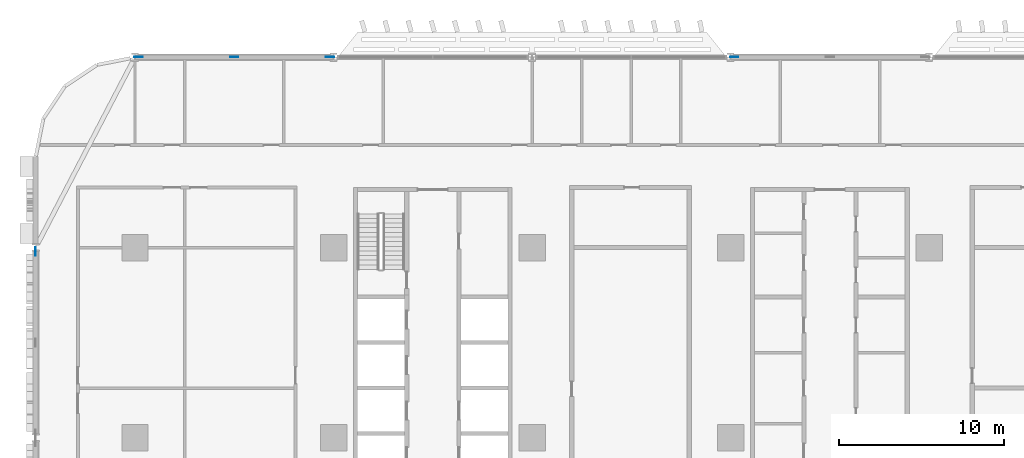
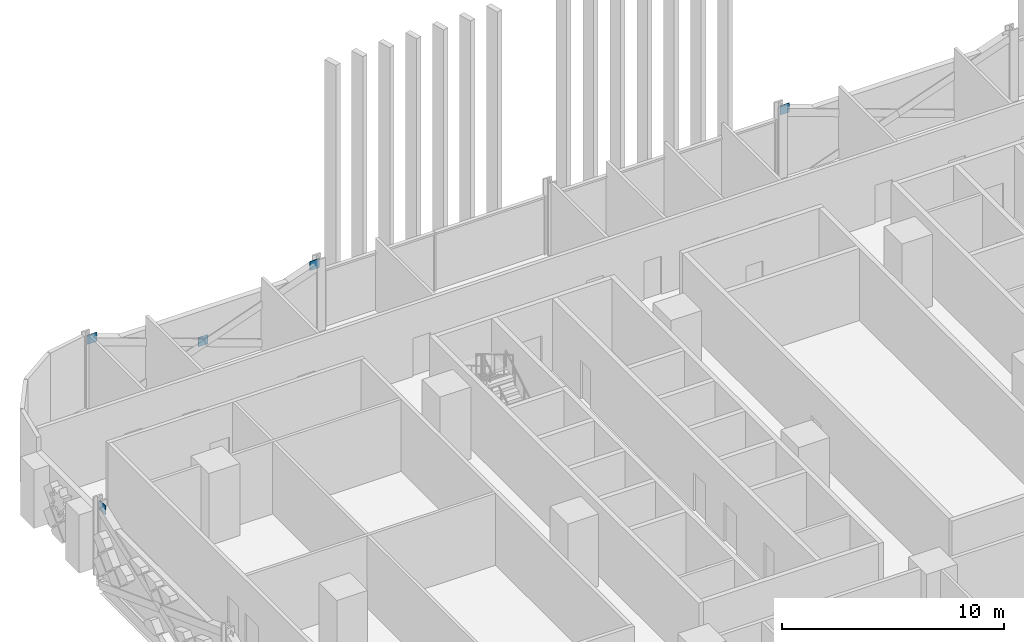
# One storey, part 19 of 29: 5 discrete accessories.
"""IFC4 building model written with IfcOpenShell, lengths in metres."""

from ifc_helpers import new_model, si_unit, direction, frame, origin, origin_2d, place, context, subcontext, project, spatial, rectangle, extrude, material, layer, layer_set, type_object, element, save


model = new_model("IFC4")

# Units and contexts
model_context = context("Model", 3, precision=1e-05, world=origin(), true_north=direction((0.0, 1.0)))
body_context = subcontext(model_context, "Body", "Model", "MODEL_VIEW")
ifc_project = project(units=[si_unit("LENGTHUNIT", "METRE"), si_unit("AREAUNIT", "SQUARE_METRE"), si_unit("VOLUMEUNIT", "CUBIC_METRE"), si_unit("PLANEANGLEUNIT", "RADIAN"), si_unit("MASSUNIT", "GRAM", prefix="KILO")], contexts=[model_context])

# Site, building, storey
site_placement = place(None, origin())
site = spatial("IfcSite", under=ifc_project, at=site_placement, CompositionType="ELEMENT")
building_placement = place(site_placement, origin())
building = spatial("IfcBuilding", under=site, at=building_placement, Name="Mahtab Terrace Research Tower", CompositionType="ELEMENT")
storey_placement = place(building_placement, frame((0.0, 0.0, 24.39990234375)))
storey = spatial("IfcBuildingStorey", under=building, at=storey_placement, Name="L05", CompositionType="ELEMENT", Elevation=24.39990234375)

# Discrete accessories
ifc_material = material(Name="Steel ASTM A992 Gr 50", Category="steel")
ifc_layer = layer(ifc_material, 0.030029296875)
ifc_layer_set = layer_set([ifc_layer], Name="Gusset plate 500x500x30")
discrete_accessory_type = type_object("IfcDiscreteAccessoryType", Name="Gusset plate 500x500x30", PredefinedType="USERDEFINED", material=ifc_layer_set)
for number, where, z_axis, x_axis, name in (
    (1, (-41.7841796875, 23.0, 3.33154296875), (0.0, 0.0, 1.0), (1.0, 0.0, 0.0), "Gusset plate"),
    (2, (-36.0, 23.0, 1.181640625), (0.0, 0.0, 1.0), (1.0, 0.0, 0.0), "Gusset plate"),
    (3, (-30.2158203125, 23.0, 3.33154296875), (0.0, 0.0, 1.0), (1.0, 0.0, 0.0), "Gusset plate"),
    (4, (-5.7841796875, 23.0, 3.33154296875), (0.0, 0.0, 1.0), (1.0, 0.0, 0.0), "Gusset plate"),
    (5, (-48.0, 11.251220703125, 3.33154296875), (0.0, 0.0, 1.0), (0.0, 1.0, 0.0), "Gusset plate"),
):
    element("IfcDiscreteAccessory", number, at=place(storey_placement, frame(where, z_axis=z_axis, x_axis=x_axis)), inside=storey, type_object=discrete_accessory_type, Name=name, ObjectType="GUSSET PLATE", PredefinedType="USERDEFINED", context=body_context, shape_type="SweptSolid", body=[
        extrude(rectangle(XDim=0.5, YDim=0.030029296875, at=origin_2d()), origin(), (0.0, 0.0, 1.0), 0.5),
    ])

save(model, "model.ifc")
